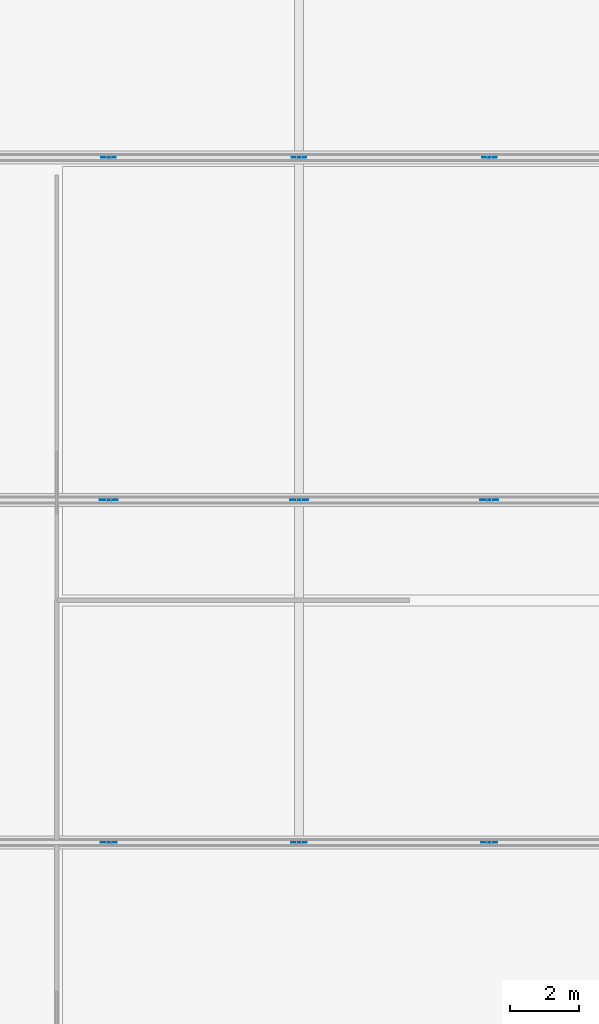
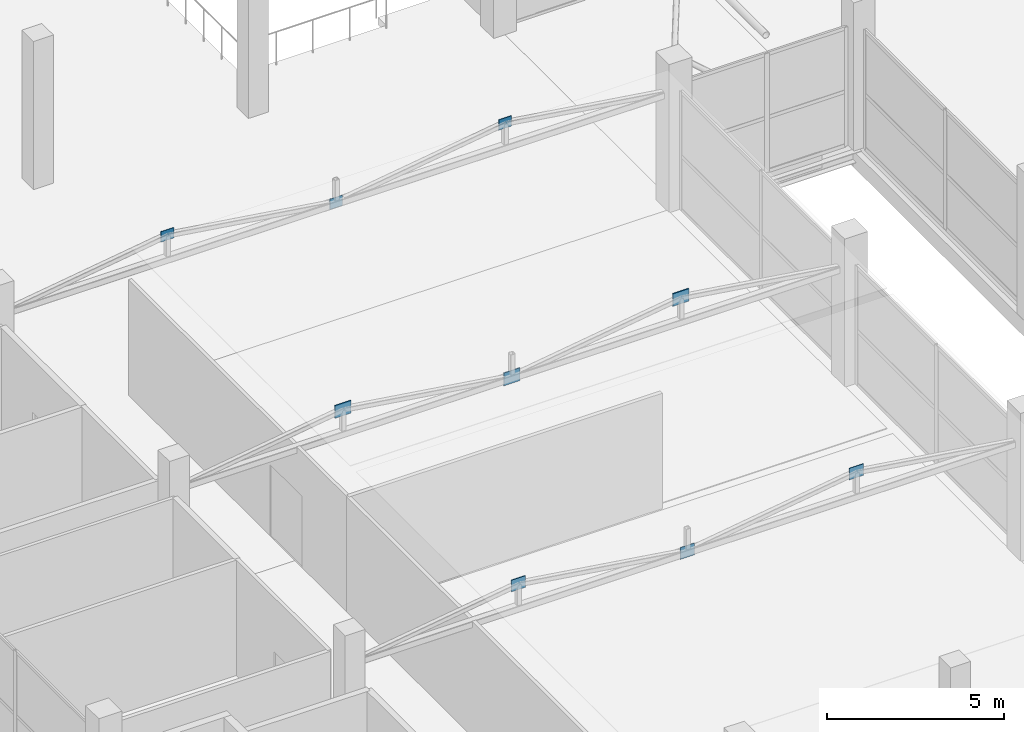
# One storey, part 52 of 67: 9 plates.
"""IFC4 building model written with IfcOpenShell, lengths in metres."""

import ifcopenshell
import ifcopenshell.guid

model = None  # the IFC model being written
_history = None  # IfcOwnerHistory: only IFC2X3 demands one
_inside = {}  # id of a spatial element -> (the spatial element, [elements in it])
_under = {}  # id of a project, library or spatial element -> (it, [spatial elements below it])
_declared = {}  # id of a project -> (the project, [libraries it declares])
_typed = {}  # id of a type object -> (the type object, [elements of that type])
_made_of = {}  # id of a material, layer set ... -> (it, [elements and type objects made of it])


def new_model(schema):
    """Start an empty IFC model of exactly this schema.

    Asked for "IFC4X3", IfcOpenShell would pick the latest addendum, in which some entities
    have other attributes; the version numbers below select the first issue.
    IFC2X3 requires an IfcOwnerHistory on every rooted entity: one is made here for all.
    """
    global model, _history
    if schema == "IFC4X3":
        model = ifcopenshell.file(schema_version=(4, 3, 0, 0))
    else:
        model = ifcopenshell.file(schema=schema)
    _inside.clear()
    _under.clear()
    _declared.clear()
    _typed.clear()
    _made_of.clear()
    _history = None
    if model.schema == "IFC2X3":
        org = make("IfcOrganization", Name="unknown")
        user = make(
            "IfcPersonAndOrganization",
            ThePerson=make("IfcPerson", FamilyName="unknown"),
            TheOrganization=org,
        )
        app = make(
            "IfcApplication",
            ApplicationDeveloper=org,
            Version="unknown",
            ApplicationFullName="unknown",
            ApplicationIdentifier="unknown",
        )
        _history = make(
            "IfcOwnerHistory",
            OwningUser=user,
            OwningApplication=app,
            ChangeAction="ADDED",
            CreationDate=0,
        )
    return model


def make(cls, **values):
    """One entity of the class cls with the attributes given. An attribute that is None is left unset."""
    return model.create_entity(
        cls, **{name: value for name, value in values.items() if value is not None}
    )


def rooted(cls, **values):
    """An entity with a GlobalId (a new one), such as an element, a storey or a relation."""
    return make(cls, GlobalId=ifcopenshell.guid.new(), OwnerHistory=_history, **values)


def si_unit(unit_type, name, prefix=None):
    """IfcSIUnit, for example si_unit("LENGTHUNIT", "METRE", prefix="MILLI")."""
    return make("IfcSIUnit", UnitType=unit_type, Prefix=prefix, Name=name)


def assignment(units):
    """IfcUnitAssignment: the units of a project."""
    return None if units is None else make("IfcUnitAssignment", Units=units)


def point(xyz):
    """IfcCartesianPoint."""
    return None if xyz is None else make("IfcCartesianPoint", Coordinates=xyz)


def direction(xyz):
    """IfcDirection."""
    return None if xyz is None else make("IfcDirection", DirectionRatios=xyz)


def frame(location, z_axis=None, x_axis=None):
    """IfcAxis2Placement3D, a coordinate frame: its origin and axes. An axis left out is left unset."""
    return make(
        "IfcAxis2Placement3D",
        Location=point(location),
        Axis=direction(z_axis),
        RefDirection=direction(x_axis),
    )


def frame_2d(location, x_axis=None):
    """IfcAxis2Placement2D, a coordinate frame in the plane: its origin and x axis."""
    return make(
        "IfcAxis2Placement2D", Location=point(location), RefDirection=direction(x_axis)
    )


def origin():
    """The frame at (0, 0, 0) with its axes left unset."""
    return frame((0.0, 0.0, 0.0))


def origin_2d():
    """The frame at (0, 0) in the plane with its x axis left unset."""
    return frame_2d((0.0, 0.0))


def place(relative_to, where):
    """IfcLocalPlacement: puts the frame where relative to a parent placement (None: the world)."""
    return make(
        "IfcLocalPlacement", PlacementRelTo=relative_to, RelativePlacement=where
    )


def context(
    kind, dimensions, precision=None, world=None, true_north=None, identifier=None
):
    """IfcGeometricRepresentationContext, for example the 3D "Model" context."""
    return make(
        "IfcGeometricRepresentationContext",
        ContextIdentifier=identifier,
        ContextType=kind,
        CoordinateSpaceDimension=dimensions,
        Precision=precision,
        WorldCoordinateSystem=world,
        TrueNorth=true_north,
    )


def subcontext(parent, identifier, kind, view, scale=None):
    """IfcGeometricRepresentationSubContext, for example "Body" below "Model"."""
    return make(
        "IfcGeometricRepresentationSubContext",
        ContextIdentifier=identifier,
        ContextType=kind,
        ParentContext=parent,
        TargetScale=scale,
        TargetView=view,
    )


def project(units=None, contexts=None):
    """IfcProject with its units and contexts."""
    return rooted(
        "IfcProject",
        Name="project",
        RepresentationContexts=contexts,
        UnitsInContext=assignment(units),
    )


def spatial(cls, under=None, at=None, **own):
    """A site, building, storey or space (cls), placed at a placement, below another one or the project."""
    s = rooted(cls, ObjectPlacement=at, **own)
    if under is not None:
        _under.setdefault(under.id(), (under, []))[1].append(s)
    return s


def profile(cls, at=None, kind="AREA", **sizes):
    """A parametric profile (cls). Its sizes go by their IFC names, for example OverallWidth=200.0."""
    return make(cls, ProfileType=kind, Position=at, **sizes)


def rectangle(**sizes):
    """IfcRectangleProfileDef."""
    return profile("IfcRectangleProfileDef", **sizes)


def extrude(swept, where, along, depth):
    """IfcExtrudedAreaSolid: the profile swept, set in the frame where, extruded along a direction by depth."""
    return make(
        "IfcExtrudedAreaSolid",
        SweptArea=swept,
        Position=where,
        ExtrudedDirection=direction(along),
        Depth=depth,
    )


def shape(context_of_items, identifier, shape_type, items):
    """IfcShapeRepresentation: the items that make up one representation, for example the "Body"."""
    return make(
        "IfcShapeRepresentation",
        ContextOfItems=context_of_items,
        RepresentationIdentifier=identifier,
        RepresentationType=shape_type,
        Items=items,
    )


def material(Name=None, Category=None):
    """IfcMaterial."""
    return make("IfcMaterial", Name=Name, Category=Category)


def layer(
    of_material, thickness, ventilated=None, Name=None, Category=None, Priority=None
):
    """IfcMaterialLayer: one layer of a wall or slab, of a material (None: an air gap)."""
    return make(
        "IfcMaterialLayer",
        Material=of_material,
        LayerThickness=thickness,
        IsVentilated=ventilated,
        Name=Name,
        Category=Category,
        Priority=Priority,
    )


def layer_set(layers, Name=None):
    """IfcMaterialLayerSet."""
    return make("IfcMaterialLayerSet", MaterialLayers=layers, LayerSetName=Name)


def made_of(thing, what):
    """Note that an element or type object is made of a material, layer set ...; save() writes the relation."""
    if what is not None:
        _made_of.setdefault(what.id(), (what, []))[1].append(thing)
    return thing


def type_object(cls, material=None, **own):
    """A type object (cls), such as IfcWallType, which elements share."""
    return made_of(rooted(cls, **own), material)


def element(
    cls,
    number,
    at=None,
    inside=None,
    cuts=None,
    type_object=None,
    material=None,
    context=None,
    identifier="Body",
    shape_type=None,
    held_by="IfcProductDefinitionShape",
    body=None,
    shapes=None,
    **own,
):
    """One element of the class cls, such as IfcWall. Its Tag is "e" and its number.

    at: its placement. inside: the storey or other place that contains it. cuts: it is an
    opening in that element (IfcRelVoidsElement). A single representation is given by context,
    identifier, shape_type and body (its items); several are given by shapes. held_by: the class
    of the entity that holds the representations. save() writes the other relations.
    """
    e = rooted(cls, Tag="e%d" % number, ObjectPlacement=at, **own)
    if body is not None:
        shapes = [shape(context, identifier, shape_type, body)]
    if shapes is not None:
        e.Representation = make(held_by, Representations=shapes)
    if inside is not None:
        _inside.setdefault(inside.id(), (inside, []))[1].append(e)
    if cuts is not None:
        rooted(
            "IfcRelVoidsElement", RelatingBuildingElement=cuts, RelatedOpeningElement=e
        )
    if type_object is not None:
        _typed.setdefault(type_object.id(), (type_object, []))[1].append(e)
    return made_of(e, material)


def aggregate(whole, parts):
    """IfcRelAggregates: a whole, such as a stair, and the parts it consists of."""
    return rooted("IfcRelAggregates", RelatingObject=whole, RelatedObjects=parts)


def save(model, path):
    """Write the relations noted so far, then the file.

    IfcRelAggregates (storeys below a building ...), IfcRelContainedInSpatialStructure (elements
    in a storey), IfcRelDefinesByType, IfcRelAssociatesMaterial and IfcRelDeclares: one each for
    every whole, place, type object, material and project.
    """
    for whole, parts in _under.values():
        aggregate(whole, parts)
    for where, things in _inside.values():
        rooted(
            "IfcRelContainedInSpatialStructure",
            RelatedElements=things,
            RelatingStructure=where,
        )
    for kind, things in _typed.values():
        rooted("IfcRelDefinesByType", RelatedObjects=things, RelatingType=kind)
    for what, things in _made_of.values():
        rooted("IfcRelAssociatesMaterial", RelatedObjects=things, RelatingMaterial=what)
    for by, libraries in _declared.values():
        rooted("IfcRelDeclares", RelatingContext=by, RelatedDefinitions=libraries)
    model.write(path)


model = new_model("IFC4")

# Units and contexts
model_context = context("Model", 3, precision=1e-05, world=origin(), true_north=direction((0.0, 1.0)))
body_context = subcontext(model_context, "Body", "Model", "MODEL_VIEW")
ifc_project = project(units=[si_unit("LENGTHUNIT", "METRE"), si_unit("AREAUNIT", "SQUARE_METRE"), si_unit("VOLUMEUNIT", "CUBIC_METRE"), si_unit("PLANEANGLEUNIT", "RADIAN"), si_unit("MASSUNIT", "GRAM", prefix="KILO")], contexts=[model_context])

# Site, building, storey
site_placement = place(None, origin())
site = spatial("IfcSite", under=ifc_project, at=site_placement, CompositionType="ELEMENT")
building_placement = place(site_placement, origin())
building = spatial("IfcBuilding", under=site, at=building_placement, Name="Sillaruma Civic Art Gallery", CompositionType="ELEMENT")
storey_placement = place(building_placement, frame((0.0, 0.0, 46.919921875)))
storey = spatial("IfcBuildingStorey", under=building, at=storey_placement, Name="L09", CompositionType="ELEMENT", Elevation=46.919921875)

# Plates
ifc_material = material(Name="Structural Steel ASTM A992 Gr.50", Category="steel")
ifc_layer_1 = layer(ifc_material, 0.01806640625, Name="Structural Steel ASTM A992 Gr.50")
ifc_layer_set_1 = layer_set([ifc_layer_1], Name="Structural Steel ASTM A992 Gr.50")
plate_type_1 = type_object("IfcPlateType", Name="PLT-GUS-18", PredefinedType="SHEET", material=ifc_layer_set_1)
for number, where, z_axis, x_axis, name in (
    (1, (75.5, 69.300048828125, 4.48779296875), (0.0, 0.0, 1.0), (1.0, 0.0, 0.0), "Truss Gusset Plate GP-03 (TR-L09-3-1)"),
    (2, (81.0, 69.300048828125, 3.68017578125), (0.0, 0.0, 1.0), (1.0, 0.0, 0.0), "Truss Gusset Plate GP-03 (TR-L09-3-2)"),
    (3, (86.5, 69.300048828125, 4.48779296875), (0.0, 0.0, 1.0), (1.0, 0.0, 0.0), "Truss Gusset Plate GP-03 (TR-L09-3-3)"),
):
    element("IfcPlate", number, at=place(storey_placement, frame(where, z_axis=z_axis, x_axis=x_axis)), inside=storey, type_object=plate_type_1, Name=name, PredefinedType="SHEET", context=body_context, shape_type="SweptSolid", body=[
        extrude(rectangle(XDim=0.419921875, YDim=0.01806640625, at=origin_2d()), origin(), (0.0, 0.0, 1.0), 0.360107421875),
    ])
ifc_layer_2 = layer(ifc_material, 0.02001953125, Name="Structural Steel ASTM A992 Gr.50")
ifc_layer_set_2 = layer_set([ifc_layer_2], Name="Structural Steel ASTM A992 Gr.50")
plate_type_2 = type_object("IfcPlateType", Name="PLT-GUS-20", PredefinedType="SHEET", material=ifc_layer_set_2)
for number, where, z_axis, x_axis, name in (
    (4, (75.5, 49.5, 4.468017578125), (0.0, 0.0, 1.0), (1.0, 0.0, 0.0), "Truss Gusset Plate GP-01 (TR-L09-1-1)"),
    (5, (81.0, 49.5, 3.66015625), (0.0, 0.0, 1.0), (1.0, 0.0, 0.0), "Truss Gusset Plate GP-01 (TR-L09-1-2)"),
    (6, (86.5, 49.5, 4.468017578125), (0.0, 0.0, 1.0), (1.0, 0.0, 0.0), "Truss Gusset Plate GP-01 (TR-L09-1-3)"),
):
    element("IfcPlate", number, at=place(storey_placement, frame(where, z_axis=z_axis, x_axis=x_axis)), inside=storey, type_object=plate_type_2, Name=name, PredefinedType="SHEET", context=body_context, shape_type="SweptSolid", body=[
        extrude(rectangle(XDim=0.4599609375, YDim=0.02001953125, at=origin_2d()), origin(), (0.0, 0.0, 1.0), 0.39990234375),
    ])
ifc_layer_3 = layer(ifc_material, 0.02392578125, Name="Structural Steel ASTM A992 Gr.50")
ifc_layer_set_3 = layer_set([ifc_layer_3], Name="Structural Steel ASTM A992 Gr.50")
plate_type_3 = type_object("IfcPlateType", Name="PLT-GUS-24", PredefinedType="SHEET", material=ifc_layer_set_3)
for number, where, z_axis, x_axis, name in (
    (7, (75.5, 59.39990234375, 4.447998046875), (0.0, 0.0, 1.0), (1.0, 0.0, 0.0), "Truss Gusset Plate GP-02 (TR-L09-2-1)"),
    (8, (81.0, 59.39990234375, 3.64013671875), (0.0, 0.0, 1.0), (1.0, 0.0, 0.0), "Truss Gusset Plate GP-02 (TR-L09-2-2)"),
    (9, (86.5, 59.39990234375, 4.447998046875), (0.0, 0.0, 1.0), (1.0, 0.0, 0.0), "Truss Gusset Plate GP-02 (TR-L09-2-3)"),
):
    element("IfcPlate", number, at=place(storey_placement, frame(where, z_axis=z_axis, x_axis=x_axis)), inside=storey, type_object=plate_type_3, Name=name, PredefinedType="SHEET", context=body_context, shape_type="SweptSolid", body=[
        extrude(rectangle(XDim=0.52001953125, YDim=0.02392578125, at=origin_2d()), origin(), (0.0, 0.0, 1.0), 0.43994140625),
    ])

save(model, "model.ifc")
